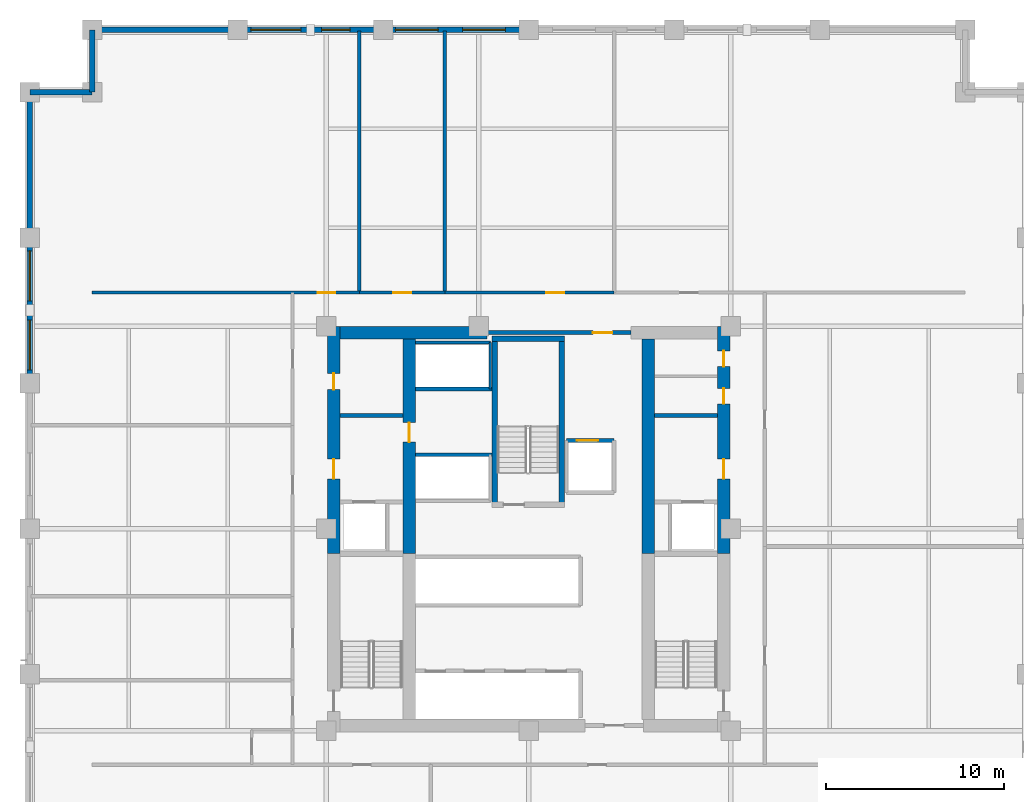
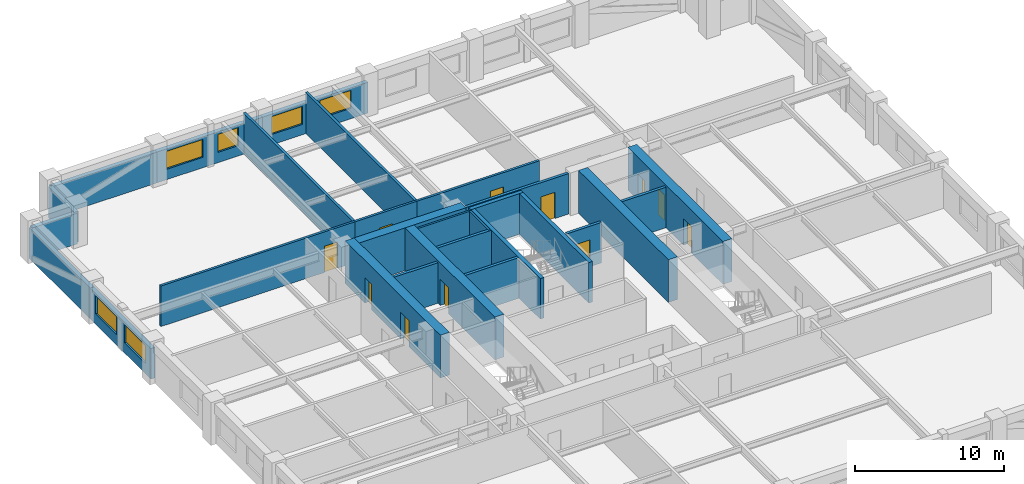
# One storey, part 7 of 9: 28 walls, 11 doors, 6 windows, 17 openings.
"""IFC4 building model written with IfcOpenShell, lengths in metres."""

import ifcopenshell
import ifcopenshell.guid

model = None  # the IFC model being written
_history = None  # IfcOwnerHistory: only IFC2X3 demands one
_inside = {}  # id of a spatial element -> (the spatial element, [elements in it])
_under = {}  # id of a project, library or spatial element -> (it, [spatial elements below it])
_declared = {}  # id of a project -> (the project, [libraries it declares])
_typed = {}  # id of a type object -> (the type object, [elements of that type])
_made_of = {}  # id of a material, layer set ... -> (it, [elements and type objects made of it])


def new_model(schema):
    """Start an empty IFC model of exactly this schema.

    Asked for "IFC4X3", IfcOpenShell would pick the latest addendum, in which some entities
    have other attributes; the version numbers below select the first issue.
    IFC2X3 requires an IfcOwnerHistory on every rooted entity: one is made here for all.
    """
    global model, _history
    if schema == "IFC4X3":
        model = ifcopenshell.file(schema_version=(4, 3, 0, 0))
    else:
        model = ifcopenshell.file(schema=schema)
    _inside.clear()
    _under.clear()
    _declared.clear()
    _typed.clear()
    _made_of.clear()
    _history = None
    if model.schema == "IFC2X3":
        org = make("IfcOrganization", Name="unknown")
        user = make(
            "IfcPersonAndOrganization",
            ThePerson=make("IfcPerson", FamilyName="unknown"),
            TheOrganization=org,
        )
        app = make(
            "IfcApplication",
            ApplicationDeveloper=org,
            Version="unknown",
            ApplicationFullName="unknown",
            ApplicationIdentifier="unknown",
        )
        _history = make(
            "IfcOwnerHistory",
            OwningUser=user,
            OwningApplication=app,
            ChangeAction="ADDED",
            CreationDate=0,
        )
    return model


def make(cls, **values):
    """One entity of the class cls with the attributes given. An attribute that is None is left unset."""
    return model.create_entity(
        cls, **{name: value for name, value in values.items() if value is not None}
    )


def rooted(cls, **values):
    """An entity with a GlobalId (a new one), such as an element, a storey or a relation."""
    return make(cls, GlobalId=ifcopenshell.guid.new(), OwnerHistory=_history, **values)


def si_unit(unit_type, name, prefix=None):
    """IfcSIUnit, for example si_unit("LENGTHUNIT", "METRE", prefix="MILLI")."""
    return make("IfcSIUnit", UnitType=unit_type, Prefix=prefix, Name=name)


def assignment(units):
    """IfcUnitAssignment: the units of a project."""
    return None if units is None else make("IfcUnitAssignment", Units=units)


def point(xyz):
    """IfcCartesianPoint."""
    return None if xyz is None else make("IfcCartesianPoint", Coordinates=xyz)


def direction(xyz):
    """IfcDirection."""
    return None if xyz is None else make("IfcDirection", DirectionRatios=xyz)


def frame(location, z_axis=None, x_axis=None):
    """IfcAxis2Placement3D, a coordinate frame: its origin and axes. An axis left out is left unset."""
    return make(
        "IfcAxis2Placement3D",
        Location=point(location),
        Axis=direction(z_axis),
        RefDirection=direction(x_axis),
    )


def frame_2d(location, x_axis=None):
    """IfcAxis2Placement2D, a coordinate frame in the plane: its origin and x axis."""
    return make(
        "IfcAxis2Placement2D", Location=point(location), RefDirection=direction(x_axis)
    )


def origin():
    """The frame at (0, 0, 0) with its axes left unset."""
    return frame((0.0, 0.0, 0.0))


def place(relative_to, where):
    """IfcLocalPlacement: puts the frame where relative to a parent placement (None: the world)."""
    return make(
        "IfcLocalPlacement", PlacementRelTo=relative_to, RelativePlacement=where
    )


def context(
    kind, dimensions, precision=None, world=None, true_north=None, identifier=None
):
    """IfcGeometricRepresentationContext, for example the 3D "Model" context."""
    return make(
        "IfcGeometricRepresentationContext",
        ContextIdentifier=identifier,
        ContextType=kind,
        CoordinateSpaceDimension=dimensions,
        Precision=precision,
        WorldCoordinateSystem=world,
        TrueNorth=true_north,
    )


def subcontext(parent, identifier, kind, view, scale=None):
    """IfcGeometricRepresentationSubContext, for example "Body" below "Model"."""
    return make(
        "IfcGeometricRepresentationSubContext",
        ContextIdentifier=identifier,
        ContextType=kind,
        ParentContext=parent,
        TargetScale=scale,
        TargetView=view,
    )


def project(units=None, contexts=None):
    """IfcProject with its units and contexts."""
    return rooted(
        "IfcProject",
        Name="project",
        RepresentationContexts=contexts,
        UnitsInContext=assignment(units),
    )


def spatial(cls, under=None, at=None, **own):
    """A site, building, storey or space (cls), placed at a placement, below another one or the project."""
    s = rooted(cls, ObjectPlacement=at, **own)
    if under is not None:
        _under.setdefault(under.id(), (under, []))[1].append(s)
    return s


def profile(cls, at=None, kind="AREA", **sizes):
    """A parametric profile (cls). Its sizes go by their IFC names, for example OverallWidth=200.0."""
    return make(cls, ProfileType=kind, Position=at, **sizes)


def rectangle(**sizes):
    """IfcRectangleProfileDef."""
    return profile("IfcRectangleProfileDef", **sizes)


def extrude(swept, where, along, depth):
    """IfcExtrudedAreaSolid: the profile swept, set in the frame where, extruded along a direction by depth."""
    return make(
        "IfcExtrudedAreaSolid",
        SweptArea=swept,
        Position=where,
        ExtrudedDirection=direction(along),
        Depth=depth,
    )


def shape(context_of_items, identifier, shape_type, items):
    """IfcShapeRepresentation: the items that make up one representation, for example the "Body"."""
    return make(
        "IfcShapeRepresentation",
        ContextOfItems=context_of_items,
        RepresentationIdentifier=identifier,
        RepresentationType=shape_type,
        Items=items,
    )


def material(Name=None, Category=None):
    """IfcMaterial."""
    return make("IfcMaterial", Name=Name, Category=Category)


def layer(
    of_material, thickness, ventilated=None, Name=None, Category=None, Priority=None
):
    """IfcMaterialLayer: one layer of a wall or slab, of a material (None: an air gap)."""
    return make(
        "IfcMaterialLayer",
        Material=of_material,
        LayerThickness=thickness,
        IsVentilated=ventilated,
        Name=Name,
        Category=Category,
        Priority=Priority,
    )


def layer_set(layers, Name=None):
    """IfcMaterialLayerSet."""
    return make("IfcMaterialLayerSet", MaterialLayers=layers, LayerSetName=Name)


def made_of(thing, what):
    """Note that an element or type object is made of a material, layer set ...; save() writes the relation."""
    if what is not None:
        _made_of.setdefault(what.id(), (what, []))[1].append(thing)
    return thing


def type_object(cls, material=None, **own):
    """A type object (cls), such as IfcWallType, which elements share."""
    return made_of(rooted(cls, **own), material)


def element(
    cls,
    number,
    at=None,
    inside=None,
    cuts=None,
    type_object=None,
    material=None,
    context=None,
    identifier="Body",
    shape_type=None,
    held_by="IfcProductDefinitionShape",
    body=None,
    shapes=None,
    **own,
):
    """One element of the class cls, such as IfcWall. Its Tag is "e" and its number.

    at: its placement. inside: the storey or other place that contains it. cuts: it is an
    opening in that element (IfcRelVoidsElement). A single representation is given by context,
    identifier, shape_type and body (its items); several are given by shapes. held_by: the class
    of the entity that holds the representations. save() writes the other relations.
    """
    e = rooted(cls, Tag="e%d" % number, ObjectPlacement=at, **own)
    if body is not None:
        shapes = [shape(context, identifier, shape_type, body)]
    if shapes is not None:
        e.Representation = make(held_by, Representations=shapes)
    if inside is not None:
        _inside.setdefault(inside.id(), (inside, []))[1].append(e)
    if cuts is not None:
        rooted(
            "IfcRelVoidsElement", RelatingBuildingElement=cuts, RelatedOpeningElement=e
        )
    if type_object is not None:
        _typed.setdefault(type_object.id(), (type_object, []))[1].append(e)
    return made_of(e, material)


def fill(opening, filler):
    """IfcRelFillsElement: the door or window that sits in an opening."""
    return rooted(
        "IfcRelFillsElement",
        RelatingOpeningElement=opening,
        RelatedBuildingElement=filler,
    )


def aggregate(whole, parts):
    """IfcRelAggregates: a whole, such as a stair, and the parts it consists of."""
    return rooted("IfcRelAggregates", RelatingObject=whole, RelatedObjects=parts)


def save(model, path):
    """Write the relations noted so far, then the file.

    IfcRelAggregates (storeys below a building ...), IfcRelContainedInSpatialStructure (elements
    in a storey), IfcRelDefinesByType, IfcRelAssociatesMaterial and IfcRelDeclares: one each for
    every whole, place, type object, material and project.
    """
    for whole, parts in _under.values():
        aggregate(whole, parts)
    for where, things in _inside.values():
        rooted(
            "IfcRelContainedInSpatialStructure",
            RelatedElements=things,
            RelatingStructure=where,
        )
    for kind, things in _typed.values():
        rooted("IfcRelDefinesByType", RelatedObjects=things, RelatingType=kind)
    for what, things in _made_of.values():
        rooted("IfcRelAssociatesMaterial", RelatedObjects=things, RelatingMaterial=what)
    for by, libraries in _declared.values():
        rooted("IfcRelDeclares", RelatingContext=by, RelatedDefinitions=libraries)
    model.write(path)


model = new_model("IFC4")

# Units and contexts
model_context = context("Model", 3, precision=1e-05, world=origin(), true_north=direction((0.0, 1.0)))
body_context = subcontext(model_context, "Body", "Model", "MODEL_VIEW")
ifc_project = project(units=[si_unit("LENGTHUNIT", "METRE"), si_unit("AREAUNIT", "SQUARE_METRE"), si_unit("VOLUMEUNIT", "CUBIC_METRE"), si_unit("PLANEANGLEUNIT", "RADIAN"), si_unit("MASSUNIT", "GRAM", prefix="KILO")], contexts=[model_context])

# Site, building, storey
site_placement = place(None, origin())
site = spatial("IfcSite", under=ifc_project, at=site_placement, CompositionType="ELEMENT")
building_placement = place(site_placement, origin())
building = spatial("IfcBuilding", under=site, at=building_placement, Name="Nhamokura Convention Tower", CompositionType="ELEMENT")
storey_placement = place(building_placement, frame((0.0, 0.0, 85.75)))
storey = spatial("IfcBuildingStorey", under=building, at=storey_placement, Name="L20", CompositionType="ELEMENT", Elevation=85.75)

# Wall
ifc_material_1 = material(Name="Bronze-pigmented precast concrete C45/55", Category="concrete")
ifc_layer_1 = layer(ifc_material_1, 0.320068359375)
ifc_layer_set_1 = layer_set([ifc_layer_1], Name="BronzePrecastSpandrel_320")
wall_type_1 = type_object("IfcWallType", Name="BronzePrecastSpandrel_320", PredefinedType="USERDEFINED", material=ifc_layer_set_1)
wall_1_placement = place(storey_placement, frame((7.5, 60.0, 0.0), z_axis=(0.0, 0.0, 1.0), x_axis=(1.0, 0.0, 0.0)))
element("IfcWall", 1, at=wall_1_placement, inside=storey, type_object=wall_type_1, Name="L20 Braced-Bay Precast Wall NORTH 0", ObjectType="SPANDREL_WALL", PredefinedType="USERDEFINED", context=body_context, shape_type="SweptSolid", body=[
    extrude(rectangle(XDim=8.166748046875, YDim=0.320068359375, at=frame_2d((4.08349609375, 0.0))), origin(), (0.0, 0.0, 1.0), 2.52001953125),
])

# Wall, openings, windows
wall_2_placement = place(storey_placement, frame((15.666748046875, 60.0, 0.0), z_axis=(0.0, 0.0, 1.0), x_axis=(1.0, 0.0, 0.0)))
wall_2 = element("IfcWall", 2, at=wall_2_placement, inside=storey, type_object=wall_type_1, Name="L20 Masonry-Frame Wall NORTH 1", ObjectType="SPANDREL_WALL", PredefinedType="USERDEFINED", context=body_context, shape_type="SweptSolid", body=[
    extrude(rectangle(XDim=8.16650390625, YDim=0.320068359375, at=frame_2d((4.083251953125, 0.0))), origin(), (0.0, 0.0, 1.0), 2.52001953125),
])
opening_1_placement = place(wall_2_placement, frame((0.74169921875, 0.0, 0.85009765625)))
opening_1 = element("IfcOpeningElement", 3, at=opening_1_placement, cuts=wall_2, Name="Opening W-04", PredefinedType="OPENING", context=body_context, shape_type="SweptSolid", body=[
    extrude(rectangle(XDim=2.800048828125, YDim=1.469970703125, at=frame_2d((1.39990234375, 0.73486328125))), frame((0.0, 0.169921875, 0.0), z_axis=(0.0, -1.0, 0.0), x_axis=(1.0, 0.0, 0.0)), (0.0, 0.0, 1.0), 0.340087890625),
])
opening_2_placement = place(wall_2_placement, frame((4.708251953125, 0.0, 0.85009765625)))
opening_2 = element("IfcOpeningElement", 4, at=opening_2_placement, cuts=wall_2, Name="Opening W-11", PredefinedType="OPENING", context=body_context, shape_type="SweptSolid", body=[
    extrude(rectangle(XDim=1.60009765625, YDim=1.469970703125, at=frame_2d((0.800048828125, 0.73486328125))), frame((0.0, 0.169921875, 0.0), z_axis=(0.0, -1.0, 0.0), x_axis=(1.0, 0.0, 0.0)), (0.0, 0.0, 1.0), 0.340087890625),
])
ifc_material_2 = material(Name="Solar-control bronze low-E double glass", Category="glass")
window_type_1 = type_object("IfcWindowType", Name="HotelSuiteWindow_2800", PartitioningType="DOUBLE_PANEL_VERTICAL", PredefinedType="WINDOW", material=ifc_material_2)
window_1_placement = place(opening_1_placement, origin())
window_1 = element("IfcWindow", 5, at=window_1_placement, inside=storey, type_object=window_type_1, Name="L20 Facade Window NORTH 1-1", OverallHeight=1.469970703125, OverallWidth=2.800048828125, PartitioningType="SINGLE_PANEL", PredefinedType="WINDOW", context=body_context, shape_type="SweptSolid", body=[
    extrude(rectangle(XDim=2.800048828125, YDim=1.469970703125, at=frame_2d((1.39990234375, 0.73486328125))), frame((0.0, 0.030029296875, 0.0), z_axis=(0.0, -1.0, 0.0), x_axis=(1.0, 0.0, 0.0)), (0.0, 0.0, 1.0), 0.06005859375),
])
fill(opening_1, window_1)
ifc_material_3 = material(Name="Solar-control bronze low-E double glass", Category="glass")
window_type_2 = type_object("IfcWindowType", Name="NotchCornerWindow_1600", PartitioningType="SINGLE_PANEL", PredefinedType="WINDOW", material=ifc_material_3)
window_2_placement = place(opening_2_placement, origin())
window_2 = element("IfcWindow", 6, at=window_2_placement, inside=storey, type_object=window_type_2, Name="L20 Facade Window NORTH 1-2", OverallHeight=1.469970703125, OverallWidth=1.60009765625, PartitioningType="SINGLE_PANEL", PredefinedType="WINDOW", context=body_context, shape_type="SweptSolid", body=[
    extrude(rectangle(XDim=1.60009765625, YDim=1.469970703125, at=frame_2d((0.800048828125, 0.73486328125))), frame((0.0, 0.030029296875, 0.0), z_axis=(0.0, -1.0, 0.0), x_axis=(1.0, 0.0, 0.0)), (0.0, 0.0, 1.0), 0.06005859375),
])
fill(opening_2, window_2)

wall_3_placement = place(storey_placement, frame((23.833251953125, 60.0, 0.0), z_axis=(0.0, 0.0, 1.0), x_axis=(1.0, 0.0, 0.0)))
wall_3 = element("IfcWall", 7, at=wall_3_placement, inside=storey, type_object=wall_type_1, Name="L20 Masonry-Frame Wall NORTH 2", ObjectType="SPANDREL_WALL", PredefinedType="USERDEFINED", context=body_context, shape_type="SweptSolid", body=[
    extrude(rectangle(XDim=8.166748046875, YDim=0.320068359375, at=frame_2d((4.08349609375, 0.0))), origin(), (0.0, 0.0, 1.0), 2.52001953125),
])
opening_3_placement = place(wall_3_placement, frame((0.683349609375, 0.0, 0.85009765625)))
opening_3 = element("IfcOpeningElement", 8, at=opening_3_placement, cuts=wall_3, Name="Opening W-03", PredefinedType="OPENING", context=body_context, shape_type="SweptSolid", body=[
    extrude(rectangle(XDim=2.39990234375, YDim=1.469970703125, at=frame_2d((1.199951171875, 0.73486328125))), frame((0.0, 0.169921875, 0.0), z_axis=(0.0, -1.0, 0.0), x_axis=(1.0, 0.0, 0.0)), (0.0, 0.0, 1.0), 0.340087890625),
])
opening_4_placement = place(wall_3_placement, frame((4.466796875, 0.0, 0.85009765625)))
opening_4 = element("IfcOpeningElement", 9, at=opening_4_placement, cuts=wall_3, Name="Opening W-03", PredefinedType="OPENING", context=body_context, shape_type="SweptSolid", body=[
    extrude(rectangle(XDim=2.39990234375, YDim=1.469970703125, at=frame_2d((1.199951171875, 0.73486328125))), frame((0.0, 0.169921875, 0.0), z_axis=(0.0, -1.0, 0.0), x_axis=(1.0, 0.0, 0.0)), (0.0, 0.0, 1.0), 0.340087890625),
])
ifc_material_4 = material(Name="Solar-control bronze low-E double glass", Category="glass")
window_type_3 = type_object("IfcWindowType", Name="HotelBayWindow_2400", PartitioningType="DOUBLE_PANEL_VERTICAL", PredefinedType="WINDOW", material=ifc_material_4)
window_3_placement = place(opening_3_placement, origin())
window_3 = element("IfcWindow", 10, at=window_3_placement, inside=storey, type_object=window_type_3, Name="L20 Facade Window NORTH 2-1", OverallHeight=1.469970703125, OverallWidth=2.39990234375, PartitioningType="SINGLE_PANEL", PredefinedType="WINDOW", context=body_context, shape_type="SweptSolid", body=[
    extrude(rectangle(XDim=2.39990234375, YDim=1.469970703125, at=frame_2d((1.199951171875, 0.73486328125))), frame((0.0, 0.030029296875, 0.0), z_axis=(0.0, -1.0, 0.0), x_axis=(1.0, 0.0, 0.0)), (0.0, 0.0, 1.0), 0.06005859375),
])
fill(opening_3, window_3)
window_4_placement = place(opening_4_placement, origin())
window_4 = element("IfcWindow", 11, at=window_4_placement, inside=storey, type_object=window_type_3, Name="L20 Facade Window NORTH 2-2", OverallHeight=1.469970703125, OverallWidth=2.39990234375, PartitioningType="SINGLE_PANEL", PredefinedType="WINDOW", context=body_context, shape_type="SweptSolid", body=[
    extrude(rectangle(XDim=2.39990234375, YDim=1.469970703125, at=frame_2d((1.199951171875, 0.73486328125))), frame((0.0, 0.030029296875, 0.0), z_axis=(0.0, -1.0, 0.0), x_axis=(1.0, 0.0, 0.0)), (0.0, 0.0, 1.0), 0.06005859375),
])
fill(opening_4, window_4)

wall_4_placement = place(storey_placement, frame((4.0, 40.166748046875, 0.0), z_axis=(0.0, 0.0, 1.0), x_axis=(0.0, 1.0, 0.0)))
wall_4 = element("IfcWall", 12, at=wall_4_placement, inside=storey, type_object=wall_type_1, Name="L20 Masonry-Frame Wall WEST 4", ObjectType="SPANDREL_WALL", PredefinedType="USERDEFINED", context=body_context, shape_type="SweptSolid", body=[
    extrude(rectangle(XDim=8.16650390625, YDim=0.320068359375, at=frame_2d((4.083251953125, 0.0))), origin(), (0.0, 0.0, 1.0), 2.52001953125),
])
opening_5_placement = place(wall_4_placement, frame((0.74169921875, 0.0, 0.85009765625)))
opening_5 = element("IfcOpeningElement", 13, at=opening_5_placement, cuts=wall_4, Name="Opening W-04", PredefinedType="OPENING", context=body_context, shape_type="SweptSolid", body=[
    extrude(rectangle(XDim=2.800048828125, YDim=1.469970703125, at=frame_2d((1.39990234375, 0.73486328125))), frame((0.0, 0.169921875, 0.0), z_axis=(0.0, -1.0, 0.0), x_axis=(1.0, 0.0, 0.0)), (0.0, 0.0, 1.0), 0.340087890625),
])
opening_6_placement = place(wall_4_placement, frame((4.625, 0.0, 0.85009765625)))
opening_6 = element("IfcOpeningElement", 14, at=opening_6_placement, cuts=wall_4, Name="Opening W-04", PredefinedType="OPENING", context=body_context, shape_type="SweptSolid", body=[
    extrude(rectangle(XDim=2.800048828125, YDim=1.469970703125, at=frame_2d((1.39990234375, 0.73486328125))), frame((0.0, 0.169921875, 0.0), z_axis=(0.0, -1.0, 0.0), x_axis=(1.0, 0.0, 0.0)), (0.0, 0.0, 1.0), 0.340087890625),
])
window_5_placement = place(opening_5_placement, origin())
window_5 = element("IfcWindow", 15, at=window_5_placement, inside=storey, type_object=window_type_1, Name="L20 Facade Window WEST 4-1", OverallHeight=1.469970703125, OverallWidth=2.800048828125, PartitioningType="SINGLE_PANEL", PredefinedType="WINDOW", context=body_context, shape_type="SweptSolid", body=[
    extrude(rectangle(XDim=2.800048828125, YDim=1.469970703125, at=frame_2d((1.39990234375, 0.73486328125))), frame((0.0, 0.030029296875, 0.0), z_axis=(0.0, -1.0, 0.0), x_axis=(1.0, 0.0, 0.0)), (0.0, 0.0, 1.0), 0.06005859375),
])
fill(opening_5, window_5)
window_6_placement = place(opening_6_placement, origin())
window_6 = element("IfcWindow", 16, at=window_6_placement, inside=storey, type_object=window_type_1, Name="L20 Facade Window WEST 4-2", OverallHeight=1.469970703125, OverallWidth=2.800048828125, PartitioningType="SINGLE_PANEL", PredefinedType="WINDOW", context=body_context, shape_type="SweptSolid", body=[
    extrude(rectangle(XDim=2.800048828125, YDim=1.469970703125, at=frame_2d((1.39990234375, 0.73486328125))), frame((0.0, 0.030029296875, 0.0), z_axis=(0.0, -1.0, 0.0), x_axis=(1.0, 0.0, 0.0)), (0.0, 0.0, 1.0), 0.06005859375),
])
fill(opening_6, window_6)

# Walls
wall_5_placement = place(storey_placement, frame((4.0, 48.333251953125, 0.0), z_axis=(0.0, 0.0, 1.0), x_axis=(0.0, 1.0, 0.0)))
element("IfcWall", 17, at=wall_5_placement, inside=storey, type_object=wall_type_1, Name="L20 Braced-Bay Precast Wall WEST 5", ObjectType="SPANDREL_WALL", PredefinedType="USERDEFINED", context=body_context, shape_type="SweptSolid", body=[
    extrude(rectangle(XDim=8.166748046875, YDim=0.320068359375, at=frame_2d((4.08349609375, 0.0))), origin(), (0.0, 0.0, 1.0), 2.52001953125),
])
for number, where, z_axis, x_axis, name in (
    (18, (7.5, 56.5, 0.0), (0.0, 0.0, 1.0), (0.0, 1.0, 0.0), "L20 Notched Corner Wall NW1"),
    (19, (4.0, 56.5, 0.0), (0.0, 0.0, 1.0), (1.0, 0.0, 0.0), "L20 Notched Corner Wall NW2"),
):
    element("IfcWall", number, at=place(storey_placement, frame(where, z_axis=z_axis, x_axis=x_axis)), inside=storey, type_object=wall_type_1, Name=name, ObjectType="SPANDREL_WALL", PredefinedType="USERDEFINED", context=body_context, shape_type="SweptSolid", body=[
        extrude(rectangle(XDim=3.5, YDim=0.320068359375, at=frame_2d((1.75, 0.0))), origin(), (0.0, 0.0, 1.0), 2.52001953125),
    ])

# Wall, openings, doors
ifc_material_5 = material(Name="Concrete C70/85", Category="concrete")
ifc_layer_2 = layer(ifc_material_5, 0.699951171875)
ifc_layer_set_2 = layer_set([ifc_layer_2], Name="CoreShearWall_700")
wall_type_2 = type_object("IfcWallType", Name="CoreShearWall_700", PredefinedType="SHEAR", material=ifc_layer_set_2)
wall_6_placement = place(storey_placement, frame((21.06005859375, 30.60009765625, 0.0), z_axis=(0.0, 0.0, 1.0), x_axis=(0.0, 1.0, 0.0)))
wall_6 = element("IfcWall", 20, at=wall_6_placement, inside=storey, type_object=wall_type_2, Name="L20 Core Shear Wall CW-WN", PredefinedType="SHEAR", context=body_context, shape_type="SweptSolid", body=[
    extrude(rectangle(XDim=12.75, YDim=0.699951171875, at=frame_2d((6.375, 0.0))), origin(), (0.0, 0.0, 1.0), 3.5),
])
opening_7_placement = place(wall_6_placement, frame((4.199951171875, 0.0, 0.0)))
opening_7 = element("IfcOpeningElement", 21, at=opening_7_placement, cuts=wall_6, Name="Opening D-05", PredefinedType="OPENING", context=body_context, shape_type="SweptSolid", body=[
    extrude(rectangle(XDim=1.10009765625, YDim=2.14990234375, at=frame_2d((0.550048828125, 1.074951171875))), frame((0.0, 0.35986328125, 0.0), z_axis=(0.0, -1.0, 0.0), x_axis=(1.0, 0.0, 0.0)), (0.0, 0.0, 1.0), 0.719970703125),
])
opening_8_placement = place(wall_6_placement, frame((9.199951171875, 0.0, 0.0)))
opening_8 = element("IfcOpeningElement", 22, at=opening_8_placement, cuts=wall_6, Name="Opening D-10", PredefinedType="OPENING", context=body_context, shape_type="SweptSolid", body=[
    extrude(rectangle(XDim=0.919921875, YDim=2.10009765625, at=frame_2d((0.4599609375, 1.050048828125))), frame((0.0, 0.35986328125, 0.0), z_axis=(0.0, -1.0, 0.0), x_axis=(1.0, 0.0, 0.0)), (0.0, 0.0, 1.0), 0.719970703125),
])
ifc_material_6 = material(Name="Solid oak hardwood", Category="wood")
door_type_1 = type_object("IfcDoorType", Name="AccessibleWCDoor_920", OperationType="NOTDEFINED", PredefinedType="DOOR", material=ifc_material_6)
door_1_placement = place(opening_8_placement, origin())
door_1 = element("IfcDoor", 23, at=door_1_placement, inside=storey, type_object=door_type_1, Name="L20 Core Door INT-L20-D-AWC", OperationType="SINGLE_SWING_LEFT", OverallHeight=2.10009765625, OverallWidth=0.919921875, PredefinedType="DOOR", context=body_context, shape_type="SweptSolid", body=[
    extrude(rectangle(XDim=0.919921875, YDim=2.10009765625, at=frame_2d((0.4599609375, 1.050048828125))), frame((0.0, 0.02490234375, 0.0), z_axis=(0.0, -1.0, 0.0), x_axis=(1.0, 0.0, 0.0)), (0.0, 0.0, 1.0), 0.050048828125),
])
fill(opening_8, door_1)
ifc_material_7 = material(Name="Fire-rated steel door", Category="steel")
door_type_2 = type_object("IfcDoorType", Name="FireLobbyDoor_1100", OperationType="NOTDEFINED", PredefinedType="DOOR", material=ifc_material_7)
door_2_placement = place(opening_7_placement, origin())
door_2 = element("IfcDoor", 24, at=door_2_placement, inside=storey, type_object=door_type_2, Name="L20 Core Door INT-L20-D-FFLW", OperationType="SINGLE_SWING_RIGHT", OverallHeight=2.14990234375, OverallWidth=1.10009765625, PredefinedType="DOOR", context=body_context, shape_type="SweptSolid", body=[
    extrude(rectangle(XDim=1.10009765625, YDim=2.14990234375, at=frame_2d((0.550048828125, 1.074951171875))), frame((0.0, 0.02490234375, 0.0), z_axis=(0.0, -1.0, 0.0), x_axis=(1.0, 0.0, 0.0)), (0.0, 0.0, 1.0), 0.050048828125),
])
fill(opening_7, door_2)

wall_7_placement = place(storey_placement, frame((42.93994140625, 30.60009765625, 0.0), z_axis=(0.0, 0.0, 1.0), x_axis=(0.0, 1.0, 0.0)))
wall_7 = element("IfcWall", 25, at=wall_7_placement, inside=storey, type_object=wall_type_2, Name="L20 Core Shear Wall CW-EN", PredefinedType="SHEAR", context=body_context, shape_type="SweptSolid", body=[
    extrude(rectangle(XDim=12.75, YDim=0.699951171875, at=frame_2d((6.375, 0.0))), origin(), (0.0, 0.0, 1.0), 3.5),
])
opening_9_placement = place(wall_7_placement, frame((4.199951171875, 0.0, 0.0)))
opening_9 = element("IfcOpeningElement", 26, at=opening_9_placement, cuts=wall_7, Name="Opening D-05", PredefinedType="OPENING", context=body_context, shape_type="SweptSolid", body=[
    extrude(rectangle(XDim=1.10009765625, YDim=2.14990234375, at=frame_2d((0.550048828125, 1.074951171875))), frame((0.0, 0.35986328125, 0.0), z_axis=(0.0, -1.0, 0.0), x_axis=(1.0, 0.0, 0.0)), (0.0, 0.0, 1.0), 0.719970703125),
])
opening_10_placement = place(wall_7_placement, frame((8.39990234375, 0.0, 0.0)))
opening_10 = element("IfcOpeningElement", 27, at=opening_10_placement, cuts=wall_7, Name="Opening D-11", PredefinedType="OPENING", context=body_context, shape_type="SweptSolid", body=[
    extrude(rectangle(XDim=0.8798828125, YDim=2.10009765625, at=frame_2d((0.43994140625, 1.050048828125))), frame((0.0, 0.35986328125, 0.0), z_axis=(0.0, -1.0, 0.0), x_axis=(1.0, 0.0, 0.0)), (0.0, 0.0, 1.0), 0.719970703125),
])
opening_11_placement = place(wall_7_placement, frame((10.5, 0.0, 0.0)))
opening_11 = element("IfcOpeningElement", 28, at=opening_11_placement, cuts=wall_7, Name="Opening D-11", PredefinedType="OPENING", context=body_context, shape_type="SweptSolid", body=[
    extrude(rectangle(XDim=0.8798828125, YDim=2.10009765625, at=frame_2d((0.43994140625, 1.050048828125))), frame((0.0, 0.35986328125, 0.0), z_axis=(0.0, -1.0, 0.0), x_axis=(1.0, 0.0, 0.0)), (0.0, 0.0, 1.0), 0.719970703125),
])
ifc_material_8 = material(Name="Solid oak hardwood", Category="wood")
door_type_3 = type_object("IfcDoorType", Name="BathroomDoor_880", OperationType="NOTDEFINED", PredefinedType="DOOR", material=ifc_material_8)
door_3_placement = place(opening_10_placement, origin())
door_3 = element("IfcDoor", 29, at=door_3_placement, inside=storey, type_object=door_type_3, Name="L20 Core Door INT-L20-D-MWC", OperationType="SINGLE_SWING_RIGHT", OverallHeight=2.10009765625, OverallWidth=0.8798828125, PredefinedType="DOOR", context=body_context, shape_type="SweptSolid", body=[
    extrude(rectangle(XDim=0.8798828125, YDim=2.10009765625, at=frame_2d((0.43994140625, 1.050048828125))), frame((0.0, 0.02490234375, 0.0), z_axis=(0.0, -1.0, 0.0), x_axis=(1.0, 0.0, 0.0)), (0.0, 0.0, 1.0), 0.050048828125),
])
fill(opening_10, door_3)
door_4_placement = place(opening_11_placement, origin())
door_4 = element("IfcDoor", 30, at=door_4_placement, inside=storey, type_object=door_type_3, Name="L20 Core Door INT-L20-D-FWC", OperationType="SINGLE_SWING_LEFT", OverallHeight=2.10009765625, OverallWidth=0.8798828125, PredefinedType="DOOR", context=body_context, shape_type="SweptSolid", body=[
    extrude(rectangle(XDim=0.8798828125, YDim=2.10009765625, at=frame_2d((0.43994140625, 1.050048828125))), frame((0.0, 0.02490234375, 0.0), z_axis=(0.0, -1.0, 0.0), x_axis=(1.0, 0.0, 0.0)), (0.0, 0.0, 1.0), 0.050048828125),
])
fill(opening_11, door_4)
door_5_placement = place(opening_9_placement, origin())
door_5 = element("IfcDoor", 31, at=door_5_placement, inside=storey, type_object=door_type_2, Name="L20 Core Door INT-L20-D-FFLE", OperationType="SINGLE_SWING_LEFT", OverallHeight=2.14990234375, OverallWidth=1.10009765625, PredefinedType="DOOR", context=body_context, shape_type="SweptSolid", body=[
    extrude(rectangle(XDim=1.10009765625, YDim=2.14990234375, at=frame_2d((0.550048828125, 1.074951171875))), frame((0.0, 0.02490234375, 0.0), z_axis=(0.0, -1.0, 0.0), x_axis=(1.0, 0.0, 0.0)), (0.0, 0.0, 1.0), 0.050048828125),
])
fill(opening_9, door_5)

# Wall
wall_8_placement = place(storey_placement, frame((21.409912109375, 43.0, 0.0), z_axis=(0.0, 0.0, 1.0), x_axis=(1.0, 0.0, 0.0)))
element("IfcWall", 32, at=wall_8_placement, inside=storey, type_object=wall_type_2, Name="L20 Core Shear Wall CW-N1", PredefinedType="SHEAR", context=body_context, shape_type="SweptSolid", body=[
    extrude(rectangle(XDim=8.239990234375, YDim=0.699951171875, at=frame_2d((4.1201171875, 0.0))), origin(), (0.0, 0.0, 1.0), 3.5),
])

# Wall, opening, door
wall_9_placement = place(storey_placement, frame((25.2900390625, 30.60009765625, 0.0), z_axis=(0.0, 0.0, 1.0), x_axis=(0.0, 1.0, 0.0)))
wall_9 = element("IfcWall", 33, at=wall_9_placement, inside=storey, type_object=wall_type_2, Name="L20 Core Shear Wall CW-IWN", PredefinedType="SHEAR", context=body_context, shape_type="SweptSolid", body=[
    extrude(rectangle(XDim=12.0498046875, YDim=0.699951171875, at=frame_2d((6.02490234375, 0.0))), origin(), (0.0, 0.0, 1.0), 3.5),
])
opening_12_placement = place(wall_9_placement, frame((6.25, 0.0, 0.0)))
opening_12 = element("IfcOpeningElement", 34, at=opening_12_placement, cuts=wall_9, Name="Opening D-05", PredefinedType="OPENING", context=body_context, shape_type="SweptSolid", body=[
    extrude(rectangle(XDim=1.10009765625, YDim=2.14990234375, at=frame_2d((0.550048828125, 1.074951171875))), frame((0.0, 0.35986328125, 0.0), z_axis=(0.0, -1.0, 0.0), x_axis=(1.0, 0.0, 0.0)), (0.0, 0.0, 1.0), 0.719970703125),
])
door_6_placement = place(opening_12_placement, origin())
door_6 = element("IfcDoor", 35, at=door_6_placement, inside=storey, type_object=door_type_2, Name="L20 Core Door INT-L20-D-B3LOB", OperationType="SINGLE_SWING_LEFT", OverallHeight=2.14990234375, OverallWidth=1.10009765625, PredefinedType="DOOR", context=body_context, shape_type="SweptSolid", body=[
    extrude(rectangle(XDim=1.10009765625, YDim=2.14990234375, at=frame_2d((0.550048828125, 1.074951171875))), frame((0.0, 0.02490234375, 0.0), z_axis=(0.0, -1.0, 0.0), x_axis=(1.0, 0.0, 0.0)), (0.0, 0.0, 1.0), 0.050048828125),
])
fill(opening_12, door_6)

# Wall
wall_10_placement = place(storey_placement, frame((38.7099609375, 30.60009765625, 0.0), z_axis=(0.0, 0.0, 1.0), x_axis=(0.0, 1.0, 0.0)))
element("IfcWall", 36, at=wall_10_placement, inside=storey, type_object=wall_type_2, Name="L20 Core Shear Wall CW-IEN", PredefinedType="SHEAR", context=body_context, shape_type="SweptSolid", body=[
    extrude(rectangle(XDim=12.0498046875, YDim=0.699951171875, at=frame_2d((6.02490234375, 0.0))), origin(), (0.0, 0.0, 1.0), 3.5),
])

# Wall, opening, door
ifc_material_9 = material(Name="Fire-rated gypsum and masonry partition", Category="masonry")
ifc_layer_3 = layer(ifc_material_9, 0.179931640625)
ifc_layer_set_3 = layer_set([ifc_layer_3], Name="CorridorRatedWall_180")
wall_type_3 = type_object("IfcWallType", Name="CorridorRatedWall_180", PredefinedType="STANDARD", material=ifc_layer_set_3)
wall_11_placement = place(storey_placement, frame((7.5, 45.25, 0.0), z_axis=(0.0, 0.0, 1.0), x_axis=(1.0, 0.0, 0.0)))
wall_11 = element("IfcWall", 37, at=wall_11_placement, inside=storey, type_object=wall_type_3, Name="L20 Wall INT-L20-CW-N00", PredefinedType="STANDARD", context=body_context, shape_type="SweptSolid", body=[
    extrude(rectangle(XDim=15.0, YDim=0.179931640625, at=frame_2d((7.5, 0.0))), origin(), (0.0, 0.0, 1.0), 3.320068359375),
])
opening_13_placement = place(wall_11_placement, frame((12.64990234375, 0.0, 0.0)))
opening_13 = element("IfcOpeningElement", 38, at=opening_13_placement, cuts=wall_11, Name="Opening D-07", PredefinedType="OPENING", context=body_context, shape_type="SweptSolid", body=[
    extrude(rectangle(XDim=1.0, YDim=2.14990234375, at=frame_2d((0.5, 1.074951171875))), frame((0.0, 0.099853515625, 0.0), z_axis=(0.0, -1.0, 0.0), x_axis=(1.0, 0.0, 0.0)), (0.0, 0.0, 1.0), 0.199951171875),
])
ifc_material_10 = material(Name="Solid oak hardwood", Category="wood")
door_type_4 = type_object("IfcDoorType", Name="HotelSuiteEntryDoor_1000", OperationType="NOTDEFINED", PredefinedType="DOOR", material=ifc_material_10)
door_7_placement = place(opening_13_placement, origin())
door_7 = element("IfcDoor", 39, at=door_7_placement, inside=storey, type_object=door_type_4, Name="L20 Conference Salon N01 Door", OperationType="SINGLE_SWING_LEFT", OverallHeight=2.14990234375, OverallWidth=1.0, PredefinedType="DOOR", context=body_context, shape_type="SweptSolid", body=[
    extrude(rectangle(XDim=1.0, YDim=2.14990234375, at=frame_2d((0.5, 1.074951171875))), frame((0.0, 0.02490234375, 0.0), z_axis=(0.0, -1.0, 0.0), x_axis=(1.0, 0.0, 0.0)), (0.0, 0.0, 1.0), 0.050048828125),
])
fill(opening_13, door_7)

wall_12_placement = place(storey_placement, frame((22.5, 45.25, 0.0), z_axis=(0.0, 0.0, 1.0), x_axis=(1.0, 0.0, 0.0)))
wall_12 = element("IfcWall", 40, at=wall_12_placement, inside=storey, type_object=wall_type_3, Name="L20 Wall INT-L20-CW-N01", PredefinedType="STANDARD", context=body_context, shape_type="SweptSolid", body=[
    extrude(rectangle(XDim=4.800048828125, YDim=0.179931640625, at=frame_2d((2.39990234375, 0.0))), origin(), (0.0, 0.0, 1.0), 3.320068359375),
])
opening_14_placement = place(wall_12_placement, frame((1.89990234375, 0.0, 0.0)))
opening_14 = element("IfcOpeningElement", 41, at=opening_14_placement, cuts=wall_12, Name="Opening D-07", PredefinedType="OPENING", context=body_context, shape_type="SweptSolid", body=[
    extrude(rectangle(XDim=1.0, YDim=2.14990234375, at=frame_2d((0.5, 1.074951171875))), frame((0.0, 0.099853515625, 0.0), z_axis=(0.0, -1.0, 0.0), x_axis=(1.0, 0.0, 0.0)), (0.0, 0.0, 1.0), 0.199951171875),
])
door_8_placement = place(opening_14_placement, origin())
door_8 = element("IfcDoor", 42, at=door_8_placement, inside=storey, type_object=door_type_4, Name="L20 Meeting Room N02 Door", OperationType="SINGLE_SWING_RIGHT", OverallHeight=2.14990234375, OverallWidth=1.0, PredefinedType="DOOR", context=body_context, shape_type="SweptSolid", body=[
    extrude(rectangle(XDim=1.0, YDim=2.14990234375, at=frame_2d((0.5, 1.074951171875))), frame((0.0, 0.02490234375, 0.0), z_axis=(0.0, -1.0, 0.0), x_axis=(1.0, 0.0, 0.0)), (0.0, 0.0, 1.0), 0.050048828125),
])
fill(opening_14, door_8)

wall_13_placement = place(storey_placement, frame((27.300048828125, 45.25, 0.0), z_axis=(0.0, 0.0, 1.0), x_axis=(1.0, 0.0, 0.0)))
wall_13 = element("IfcWall", 43, at=wall_13_placement, inside=storey, type_object=wall_type_3, Name="L20 Wall INT-L20-CW-N02", PredefinedType="STANDARD", context=body_context, shape_type="SweptSolid", body=[
    extrude(rectangle(XDim=9.5, YDim=0.179931640625, at=frame_2d((4.75, 0.0))), origin(), (0.0, 0.0, 1.0), 3.320068359375),
])
opening_15_placement = place(wall_13_placement, frame((5.699951171875, 0.0, 0.0)))
opening_15 = element("IfcOpeningElement", 44, at=opening_15_placement, cuts=wall_13, Name="Opening D-07", PredefinedType="OPENING", context=body_context, shape_type="SweptSolid", body=[
    extrude(rectangle(XDim=1.0, YDim=2.14990234375, at=frame_2d((0.5, 1.074951171875))), frame((0.0, 0.099853515625, 0.0), z_axis=(0.0, -1.0, 0.0), x_axis=(1.0, 0.0, 0.0)), (0.0, 0.0, 1.0), 0.199951171875),
])
door_9_placement = place(opening_15_placement, origin())
door_9 = element("IfcDoor", 45, at=door_9_placement, inside=storey, type_object=door_type_4, Name="L20 Conference Salon N03 Door", OperationType="SINGLE_SWING_LEFT", OverallHeight=2.14990234375, OverallWidth=1.0, PredefinedType="DOOR", context=body_context, shape_type="SweptSolid", body=[
    extrude(rectangle(XDim=1.0, YDim=2.14990234375, at=frame_2d((0.5, 1.074951171875))), frame((0.0, 0.02490234375, 0.0), z_axis=(0.0, -1.0, 0.0), x_axis=(1.0, 0.0, 0.0)), (0.0, 0.0, 1.0), 0.050048828125),
])
fill(opening_15, door_9)

# Walls
ifc_material_11 = material(Name="Autoclaved concrete blockwork", Category="masonry")
ifc_layer_4 = layer(ifc_material_11, 0.219970703125)
ifc_layer_set_4 = layer_set([ifc_layer_4], Name="FireLobbyWall_220")
wall_type_4 = type_object("IfcWallType", Name="FireLobbyWall_220", PredefinedType="STANDARD", material=ifc_layer_set_4)
for number, where, z_axis, x_axis, name in (
    (46, (21.409912109375, 38.35009765625, 0.0), (0.0, 0.0, 1.0), (1.0, 0.0, 0.0), "L20 Wall INT-L20-FFW-N"),
    (47, (39.06005859375, 38.35009765625, 0.0), (0.0, 0.0, 1.0), (1.0, 0.0, 0.0), "L20 Wall INT-L20-FFE-N"),
):
    element("IfcWall", number, at=place(storey_placement, frame(where, z_axis=z_axis, x_axis=x_axis)), inside=storey, type_object=wall_type_4, Name=name, PredefinedType="STANDARD", context=body_context, shape_type="SweptSolid", body=[
        extrude(rectangle(XDim=3.530029296875, YDim=0.219970703125, at=frame_2d((1.76513671875, 0.0))), origin(), (0.0, 0.0, 1.0), 3.320068359375),
    ])
for number, where, z_axis, x_axis, name in (
    (48, (25.64990234375, 36.14990234375, 0.0), (0.0, 0.0, 1.0), (1.0, 0.0, 0.0), "L20 Wall INT-L20-B3S"),
    (49, (25.64990234375, 39.85009765625, 0.0), (0.0, 0.0, 1.0), (1.0, 0.0, 0.0), "L20 Wall INT-L20-B3N"),
):
    element("IfcWall", number, at=place(storey_placement, frame(where, z_axis=z_axis, x_axis=x_axis)), inside=storey, type_object=wall_type_4, Name=name, PredefinedType="STANDARD", context=body_context, shape_type="SweptSolid", body=[
        extrude(rectangle(XDim=4.300048828125, YDim=0.219970703125, at=frame_2d((2.14990234375, 0.0))), origin(), (0.0, 0.0, 1.0), 3.320068359375),
    ])

# Wall, opening, door
wall_14_placement = place(storey_placement, frame((29.64990234375, 43.0, 0.0), z_axis=(0.0, 0.0, 1.0), x_axis=(1.0, 0.0, 0.0)))
wall_14 = element("IfcWall", 50, at=wall_14_placement, inside=storey, type_object=wall_type_4, Name="L20 Wall INT-L20-CPORT-N", PredefinedType="STANDARD", context=body_context, shape_type="SweptSolid", body=[
    extrude(rectangle(XDim=8.10009765625, YDim=0.219970703125, at=frame_2d((4.050048828125, 0.0))), origin(), (0.0, 0.0, 1.0), 3.320068359375),
])
opening_16_placement = place(wall_14_placement, frame((5.949951171875, 0.0, 0.0)))
opening_16 = element("IfcOpeningElement", 51, at=opening_16_placement, cuts=wall_14, Name="Opening D-05", PredefinedType="OPENING", context=body_context, shape_type="SweptSolid", body=[
    extrude(rectangle(XDim=1.10009765625, YDim=2.14990234375, at=frame_2d((0.550048828125, 1.074951171875))), frame((0.0, 0.119873046875, 0.0), z_axis=(0.0, -1.0, 0.0), x_axis=(1.0, 0.0, 0.0)), (0.0, 0.0, 1.0), 0.239990234375),
])
door_10_placement = place(opening_16_placement, origin())
door_10 = element("IfcDoor", 52, at=door_10_placement, inside=storey, type_object=door_type_2, Name="L20 North Core Lobby Portal Door", OperationType="SINGLE_SWING_RIGHT", OverallHeight=2.14990234375, OverallWidth=1.10009765625, PredefinedType="DOOR", context=body_context, shape_type="SweptSolid", body=[
    extrude(rectangle(XDim=1.10009765625, YDim=2.14990234375, at=frame_2d((0.550048828125, 1.074951171875))), frame((0.0, 0.02490234375, 0.0), z_axis=(0.0, -1.0, 0.0), x_axis=(1.0, 0.0, 0.0)), (0.0, 0.0, 1.0), 0.050048828125),
])
fill(opening_16, door_10)

wall_15_placement = place(storey_placement, frame((34.1201171875, 36.949951171875, 0.0), z_axis=(0.0, 0.0, 1.0), x_axis=(1.0, 0.0, 0.0)))
wall_15 = element("IfcWall", 53, at=wall_15_placement, inside=storey, type_object=wall_type_4, Name="L20 Wall INT-L20-LSN", PredefinedType="STANDARD", context=body_context, shape_type="SweptSolid", body=[
    extrude(rectangle(XDim=2.679931640625, YDim=0.219970703125, at=frame_2d((1.33984375, 0.0))), origin(), (0.0, 0.0, 1.0), 3.320068359375),
])
opening_17_placement = place(wall_15_placement, frame((0.580078125, 0.0, 0.0)))
opening_17 = element("IfcOpeningElement", 54, at=opening_17_placement, cuts=wall_15, Name="Opening LD-02", PredefinedType="OPENING", context=body_context, shape_type="SweptSolid", body=[
    extrude(rectangle(XDim=1.199951171875, YDim=2.199951171875, at=frame_2d((0.60009765625, 1.10009765625))), frame((0.0, 0.119873046875, 0.0), z_axis=(0.0, -1.0, 0.0), x_axis=(1.0, 0.0, 0.0)), (0.0, 0.0, 1.0), 0.239990234375),
])
ifc_material_12 = material(Name="Anodised bronze stainless steel", Category="steel")
door_type_5 = type_object("IfcDoorType", Name="LiftLandingDoor_FireService", OperationType="DOUBLE_DOOR_SLIDING", PredefinedType="DOOR", material=ifc_material_12)
door_11_placement = place(opening_17_placement, origin())
door_11 = element("IfcDoor", 55, at=door_11_placement, inside=storey, type_object=door_type_5, Name="L20 Service Lift LS-01 Door", OperationType="DOUBLE_DOOR_SLIDING", OverallHeight=2.199951171875, OverallWidth=1.199951171875, PredefinedType="DOOR", context=body_context, shape_type="SweptSolid", body=[
    extrude(rectangle(XDim=1.199951171875, YDim=2.199951171875, at=frame_2d((0.60009765625, 1.10009765625))), frame((0.0, 0.02490234375, 0.0), z_axis=(0.0, -1.0, 0.0), x_axis=(1.0, 0.0, 0.0)), (0.0, 0.0, 1.0), 0.050048828125),
])
fill(opening_17, door_11)

# Walls
ifc_material_13 = material(Name="Acoustic twin-stud gypsum partition", Category="masonry")
ifc_layer_5 = layer(ifc_material_13, 0.199951171875)
ifc_layer_set_5 = layer_set([ifc_layer_5], Name="HotelDemisingWall_200")
wall_type_5 = type_object("IfcWallType", Name="HotelDemisingWall_200", PredefinedType="STANDARD", material=ifc_layer_set_5)
for number, where, z_axis, x_axis, name in (
    (56, (22.5, 45.25, 0.0), (0.0, 0.0, 1.0), (0.0, 1.0, 0.0), "L20 Wall INT-L20-RW-N01"),
    (57, (27.300048828125, 45.25, 0.0), (0.0, 0.0, 1.0), (0.0, 1.0, 0.0), "L20 Wall INT-L20-RW-N02"),
):
    element("IfcWall", number, at=place(storey_placement, frame(where, z_axis=z_axis, x_axis=x_axis)), inside=storey, type_object=wall_type_5, Name=name, PredefinedType="STANDARD", context=body_context, shape_type="SweptSolid", body=[
        extrude(rectangle(XDim=14.68994140625, YDim=0.199951171875, at=frame_2d((7.344970703125, 0.0))), origin(), (0.0, 0.0, 1.0), 3.320068359375),
    ])
ifc_material_14 = material(Name="Acoustic gypsum stud partition", Category="masonry")
ifc_layer_6 = layer(ifc_material_14, 0.14990234375)
ifc_layer_set_6 = layer_set([ifc_layer_6], Name="InteriorPartition_150")
wall_type_6 = type_object("IfcWallType", Name="InteriorPartition_150", PredefinedType="STANDARD", material=ifc_layer_set_6)
wall_16_placement = place(storey_placement, frame((25.64990234375, 42.449951171875, 0.0), z_axis=(0.0, 0.0, 1.0), x_axis=(1.0, 0.0, 0.0)))
element("IfcWall", 58, at=wall_16_placement, inside=storey, type_object=wall_type_6, Name="L20 Wall INT-L20-B3B-N", PredefinedType="STANDARD", context=body_context, shape_type="SweptSolid", body=[
    extrude(rectangle(XDim=4.2001953125, YDim=0.14990234375, at=frame_2d((2.10009765625, 0.0))), origin(), (0.0, 0.0, 1.0), 3.320068359375),
])
wall_17_placement = place(storey_placement, frame((29.85009765625, 39.85009765625, 0.0), z_axis=(0.0, 0.0, 1.0), x_axis=(0.0, 1.0, 0.0)))
element("IfcWall", 59, at=wall_17_placement, inside=storey, type_object=wall_type_6, Name="L20 Wall INT-L20-B3B-E", PredefinedType="STANDARD", context=body_context, shape_type="SweptSolid", body=[
    extrude(rectangle(XDim=2.599853515625, YDim=0.14990234375, at=frame_2d((1.2998046875, 0.0))), origin(), (0.0, 0.0, 1.0), 3.320068359375),
])
ifc_material_15 = material(Name="Concrete C50/60", Category="concrete")
ifc_layer_7 = layer(ifc_material_15, 0.300048828125)
ifc_layer_set_7 = layer_set([ifc_layer_7], Name="ShaftEnclosureWall_300")
wall_type_7 = type_object("IfcWallType", Name="ShaftEnclosureWall_300", PredefinedType="SHEAR", material=ifc_layer_set_7)
for number, where, z_axis, x_axis, name in (
    (60, (30.10009765625, 33.199951171875, 0.0), (0.0, 0.0, 1.0), (0.0, 1.0, 0.0), "L20 Wall INT-L20-ST03W"),
    (61, (33.85009765625, 33.199951171875, 0.0), (0.0, 0.0, 1.0), (0.0, 1.0, 0.0), "L20 Wall INT-L20-ST03E"),
):
    element("IfcWall", number, at=place(storey_placement, frame(where, z_axis=z_axis, x_axis=x_axis)), inside=storey, type_object=wall_type_7, Name=name, PredefinedType="SHEAR", context=body_context, shape_type="SweptSolid", body=[
        extrude(rectangle(XDim=9.60009765625, YDim=0.300048828125, at=frame_2d((4.800048828125, 0.0))), origin(), (0.0, 0.0, 1.0), 3.320068359375),
    ])
wall_18_placement = place(storey_placement, frame((29.949951171875, 42.64990234375, 0.0), z_axis=(0.0, 0.0, 1.0), x_axis=(1.0, 0.0, 0.0)))
element("IfcWall", 62, at=wall_18_placement, inside=storey, type_object=wall_type_7, Name="L20 Wall INT-L20-ST03N", PredefinedType="SHEAR", context=body_context, shape_type="SweptSolid", body=[
    extrude(rectangle(XDim=4.050048828125, YDim=0.300048828125, at=frame_2d((2.02490234375, 0.0))), origin(), (0.0, 0.0, 1.0), 3.320068359375),
])

save(model, "model.ifc")
